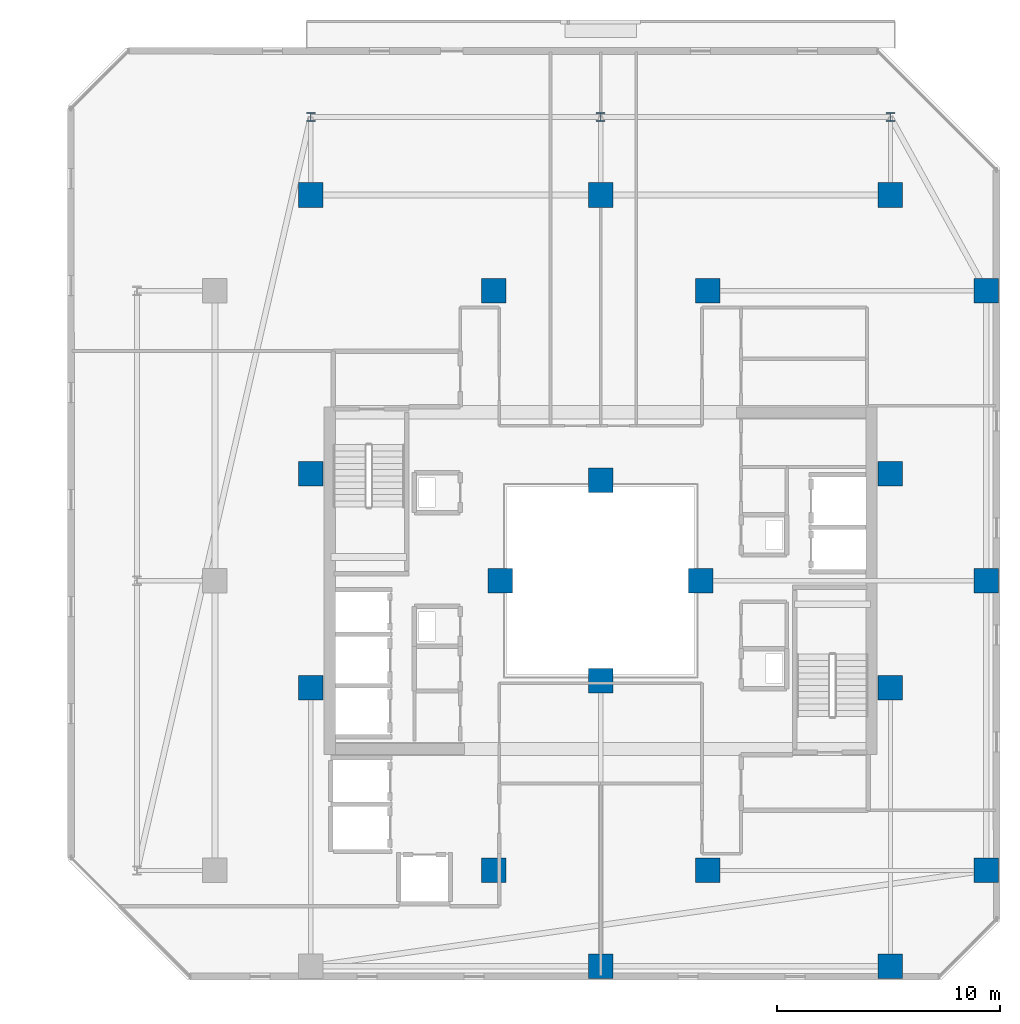
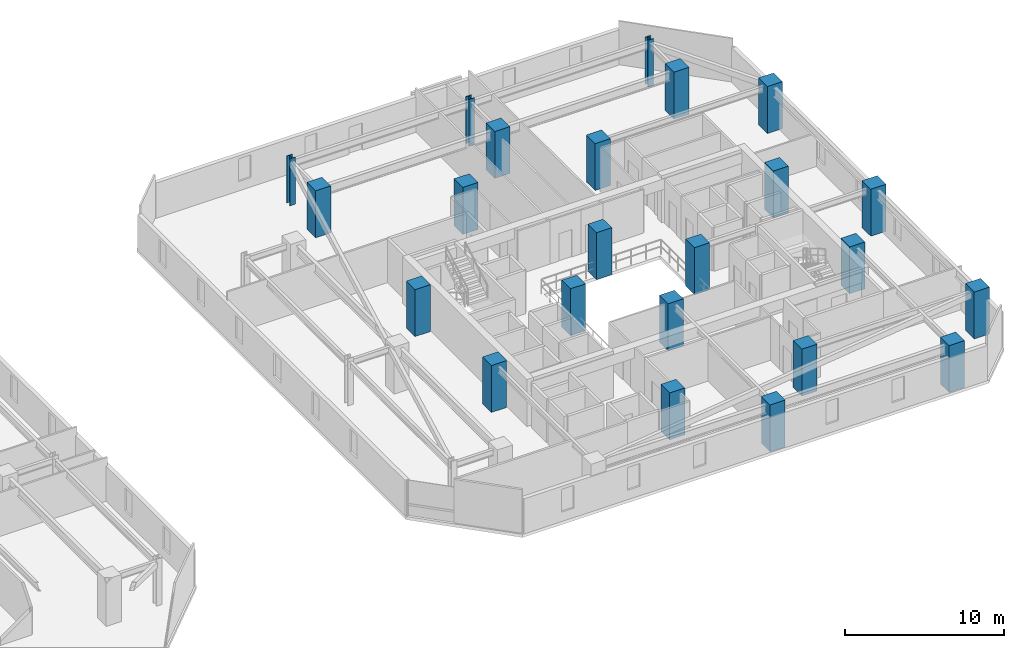
# One storey, part 2 of 33: 23 columns.
"""IFC4 building model written with IfcOpenShell, lengths in metres."""

from ifc_helpers import new_model, si_unit, direction, frame, origin, origin_2d, place, context, subcontext, project, spatial, rectangle, i_section, extrude, material, material_profile, profile_set, type_object, element, save


model = new_model("IFC4")

# Units and contexts
model_context = context("Model", 3, precision=1e-05, world=origin(), true_north=direction((0.0, 1.0)))
body_context = subcontext(model_context, "Body", "Model", "MODEL_VIEW")
ifc_project = project(units=[si_unit("LENGTHUNIT", "METRE"), si_unit("AREAUNIT", "SQUARE_METRE"), si_unit("VOLUMEUNIT", "CUBIC_METRE"), si_unit("PLANEANGLEUNIT", "RADIAN"), si_unit("MASSUNIT", "GRAM", prefix="KILO")], contexts=[model_context])

# Site, building, storey
site_placement = place(None, origin())
site = spatial("IfcSite", under=ifc_project, at=site_placement, CompositionType="ELEMENT")
building_placement = place(site_placement, origin())
building = spatial("IfcBuilding", under=site, at=building_placement, Name="Thornwick Lancets Civic Towers", CompositionType="ELEMENT")
storey_placement = place(building_placement, frame((0.0, 0.0, 185.699951171875)))
storey = spatial("IfcBuildingStorey", under=building, at=storey_placement, Name="L49", CompositionType="ELEMENT", Elevation=185.699951171875)

# Columns
ifc_material_1 = material(Name="Concrete C50/60", Category="concrete")
ifc_material_profile_1 = material_profile(ifc_material_1, rectangle(XDim=1.10009765625, YDim=1.10009765625, at=origin_2d()), Name="RC 1100x1100")
ifc_profile_set_1 = profile_set([ifc_material_profile_1], Name="Concrete C50/60")
column_type_1 = type_object("IfcColumnType", Name="COL_RC_1100", PredefinedType="COLUMN", material=ifc_profile_set_1)
for number, where, z_axis, x_axis, name in (
    (1, (105.800048828125, 14.0, 0.0), (0.0, 0.0, 1.0), (1.0, 0.0, 0.0), "L49 Spine Mega-Column B01"),
    (2, (105.800048828125, 27.0, 0.0), (0.0, 0.0, 1.0), (1.0, 0.0, 0.0), "L49 Spine Mega-Column B02"),
    (3, (105.800048828125, 40.0, 0.0), (0.0, 0.0, 1.0), (1.0, 0.0, 0.0), "L49 Spine Mega-Column B03"),
    (4, (101.5, 44.300048828125, 0.0), (0.0, 0.0, 1.0), (1.0, 0.0, 0.0), "L49 Spine Mega-Column B04"),
    (5, (88.5, 44.300048828125, 0.0), (0.0, 0.0, 1.0), (1.0, 0.0, 0.0), "L49 Spine Mega-Column B05"),
    (6, (75.5, 44.300048828125, 0.0), (0.0, 0.0, 1.0), (1.0, 0.0, 0.0), "L49 Spine Mega-Column B06"),
    (7, (101.5, 9.699951171875, 0.0), (0.0, 0.0, 1.0), (1.0, 0.0, 0.0), "L49 Spine Mega-Column B10"),
    (8, (88.5, 9.699951171875, 0.0), (0.0, 0.0, 1.0), (1.0, 0.0, 0.0), "L49 Spine Mega-Column B11"),
    (9, (93.300048828125, 14.0, 0.0), (0.0, 0.0, 1.0), (1.0, 0.0, 0.0), "L49 Spine Mega-Column B13"),
    (10, (93.300048828125, 40.0, 0.0), (0.0, 0.0, 1.0), (1.0, 0.0, 0.0), "L49 Spine Mega-Column B14"),
    (11, (83.699951171875, 14.0, 0.0), (0.0, 0.0, 1.0), (1.0, 0.0, 0.0), "L49 Spine Mega-Column B15"),
    (12, (83.699951171875, 40.0, 0.0), (0.0, 0.0, 1.0), (1.0, 0.0, 0.0), "L49 Spine Mega-Column B16"),
    (13, (101.5, 22.199951171875, 0.0), (0.0, 0.0, 1.0), (1.0, 0.0, 0.0), "L49 Spine Mega-Column B17"),
    (14, (101.5, 31.800048828125, 0.0), (0.0, 0.0, 1.0), (1.0, 0.0, 0.0), "L49 Spine Mega-Column B18"),
    (15, (75.5, 22.199951171875, 0.0), (0.0, 0.0, 1.0), (1.0, 0.0, 0.0), "L49 Spine Mega-Column B19"),
    (16, (75.5, 31.800048828125, 0.0), (0.0, 0.0, 1.0), (1.0, 0.0, 0.0), "L49 Spine Mega-Column B20"),
    (17, (93.0, 27.0, 0.0), (0.0, 0.0, 1.0), (1.0, 0.0, 0.0), "L49 Spine Mega-Column B21"),
    (18, (84.0, 27.0, 0.0), (0.0, 0.0, 1.0), (1.0, 0.0, 0.0), "L49 Spine Mega-Column B22"),
    (19, (88.5, 22.5, 0.0), (0.0, 0.0, 1.0), (1.0, 0.0, 0.0), "L49 Spine Mega-Column B23"),
    (20, (88.5, 31.5, 0.0), (0.0, 0.0, 1.0), (1.0, 0.0, 0.0), "L49 Spine Mega-Column B24"),
):
    element("IfcColumn", number, at=place(storey_placement, frame(where, z_axis=z_axis, x_axis=x_axis)), inside=storey, type_object=column_type_1, Name=name, PredefinedType="COLUMN", context=body_context, shape_type="SweptSolid", body=[
        extrude(rectangle(XDim=1.10009765625, YDim=1.10009765625, at=origin_2d()), origin(), (0.0, 0.0, 1.0), 3.60009765625),
    ])
ifc_material_2 = material(Name="Steel S460M", Category="steel")
ifc_material_profile_2 = material_profile(ifc_material_2, i_section(OverallWidth=0.406982421875, OverallDepth=0.4189453125, WebThickness=0.030517578125, FlangeThickness=0.04931640625, FilletRadius=0.01513671875, at=origin_2d()), Name="UKC 356x406x393")
ifc_profile_set_2 = profile_set([ifc_material_profile_2], Name="Steel S460M")
column_type_2 = type_object("IfcColumnType", Name="COL_UKC_393", PredefinedType="COLUMN", material=ifc_profile_set_2)
for number, where, z_axis, x_axis, name in (
    (21, (101.5, 47.800048828125, 0.0), (0.0, 0.0, 1.0), (1.0, 0.0, 0.0), "L49 Block Perimeter Column B04"),
    (22, (88.5, 47.800048828125, 0.0), (0.0, 0.0, 1.0), (1.0, 0.0, 0.0), "L49 Block Perimeter Column B05"),
    (23, (75.5, 47.800048828125, 0.0), (0.0, 0.0, 1.0), (1.0, 0.0, 0.0), "L49 Block Perimeter Column B06"),
):
    element("IfcColumn", number, at=place(storey_placement, frame(where, z_axis=z_axis, x_axis=x_axis)), inside=storey, type_object=column_type_2, Name=name, PredefinedType="COLUMN", context=body_context, shape_type="SweptSolid", body=[
        extrude(i_section(OverallWidth=0.406982421875, OverallDepth=0.4189453125, WebThickness=0.030517578125, FlangeThickness=0.04931640625, FilletRadius=0.01513671875, at=origin_2d()), origin(), (0.0, 0.0, 1.0), 3.60009765625),
    ])

save(model, "model.ifc")
